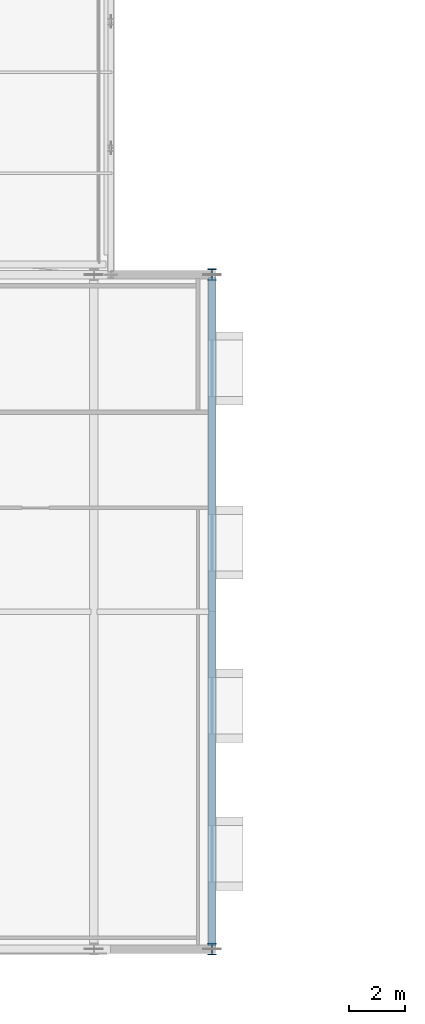
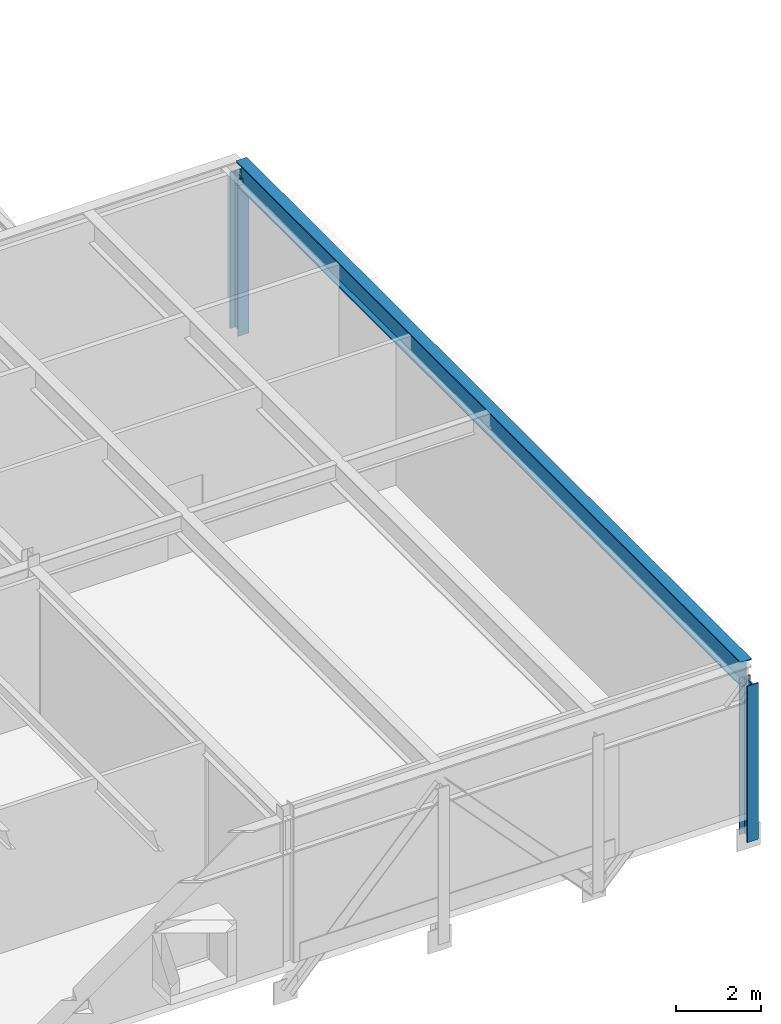
# One storey, part 89 of 142: 2 members, 1 beam.
"""IFC4 building model written with IfcOpenShell, lengths in metres."""

from ifc_helpers import new_model, si_unit, direction, frame, origin, origin_2d, place, context, subcontext, project, spatial, i_section, extrude, material, material_profile, profile_set, type_object, element, save


model = new_model("IFC4")

# Units and contexts
model_context = context("Model", 3, precision=1e-05, world=origin(), true_north=direction((0.0, 1.0)))
body_context = subcontext(model_context, "Body", "Model", "MODEL_VIEW")
ifc_project = project(units=[si_unit("LENGTHUNIT", "METRE"), si_unit("AREAUNIT", "SQUARE_METRE"), si_unit("VOLUMEUNIT", "CUBIC_METRE"), si_unit("PLANEANGLEUNIT", "RADIAN"), si_unit("MASSUNIT", "GRAM", prefix="KILO")], contexts=[model_context])

# Site, building, storey
site_placement = place(None, origin())
site = spatial("IfcSite", under=ifc_project, at=site_placement, CompositionType="ELEMENT")
building_placement = place(site_placement, origin())
building = spatial("IfcBuilding", under=site, at=building_placement, Name="Montelvaro Courts of Justice", CompositionType="ELEMENT")
storey_placement = place(building_placement, frame((0.0, 0.0, 14.39990234375)))
storey = spatial("IfcBuildingStorey", under=building, at=storey_placement, Name="L03", CompositionType="ELEMENT", Elevation=14.39990234375)

# Beam
ifc_material = material(Name="Steel S355", Category="steel")
ifc_material_profile_1 = material_profile(ifc_material, i_section(OverallWidth=0.300048828125, OverallDepth=0.699951171875, WebThickness=0.01708984375, FlangeThickness=0.031982421875, at=origin_2d()), Name="HEB 700")
ifc_profile_set_1 = profile_set([ifc_material_profile_1], Name="Steel S355")
beam_type = type_object("IfcBeamType", Name="Beam_HEB700", PredefinedType="USERDEFINED", material=ifc_profile_set_1)
beam_placement = place(storey_placement, frame((147.60009765625, 0.110107421875, 3.830078125), z_axis=(0.0, 1.0, 0.0), x_axis=(-1.0, 0.0, 0.0)))
element("IfcBeam", 1, at=beam_placement, inside=storey, type_object=beam_type, Name="Beam B-28 L03", ObjectType="GIRDER", PredefinedType="USERDEFINED", context=body_context, shape_type="SweptSolid", body=[
    extrude(i_section(OverallWidth=0.300048828125, OverallDepth=0.699951171875, WebThickness=0.01708984375, FlangeThickness=0.031982421875, at=origin_2d()), origin(), (0.0, 0.0, 1.0), 23.77978515625),
])

# Members
ifc_material_profile_2 = material_profile(ifc_material, i_section(OverallWidth=0.300048828125, OverallDepth=0.39990234375, WebThickness=0.013427734375, FlangeThickness=0.02392578125, at=origin_2d()), Name="HEB 400")
ifc_profile_set_2 = profile_set([ifc_material_profile_2], Name="Steel S355")
member_type = type_object("IfcMemberType", Name="Mem_HEB400_Post", PredefinedType="POST", material=ifc_profile_set_2)
for number, where, z_axis, x_axis, name in (
    (2, (147.60009765625, 0.0, -0.823974609375), (0.0, 0.0, 1.0), (1.0, 0.0, 0.0), "Pratt Cantilever Truss Post MP-01 CTR-BAR2-S-L03-3"),
    (3, (147.60009765625, 24.0, -0.823974609375), (0.0, 0.0, 1.0), (1.0, 0.0, 0.0), "Pratt Cantilever Truss Post MP-01 CTR-BAR2-N-L03-3"),
):
    element("IfcMember", number, at=place(storey_placement, frame(where, z_axis=z_axis, x_axis=x_axis)), inside=storey, type_object=member_type, Name=name, PredefinedType="POST", context=body_context, shape_type="SweptSolid", body=[
        extrude(i_section(OverallWidth=0.300048828125, OverallDepth=0.39990234375, WebThickness=0.013427734375, FlangeThickness=0.02392578125, at=origin_2d()), origin(), (0.0, 0.0, 1.0), 4.5),
    ])

save(model, "model.ifc")
